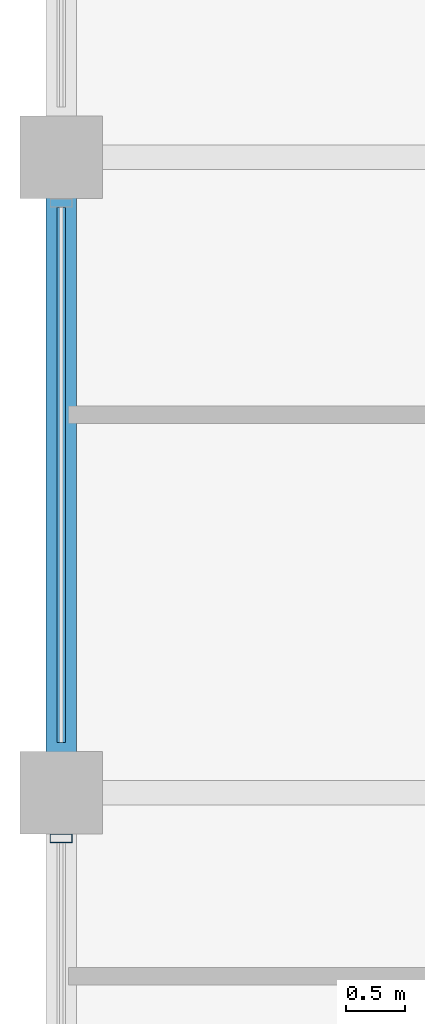
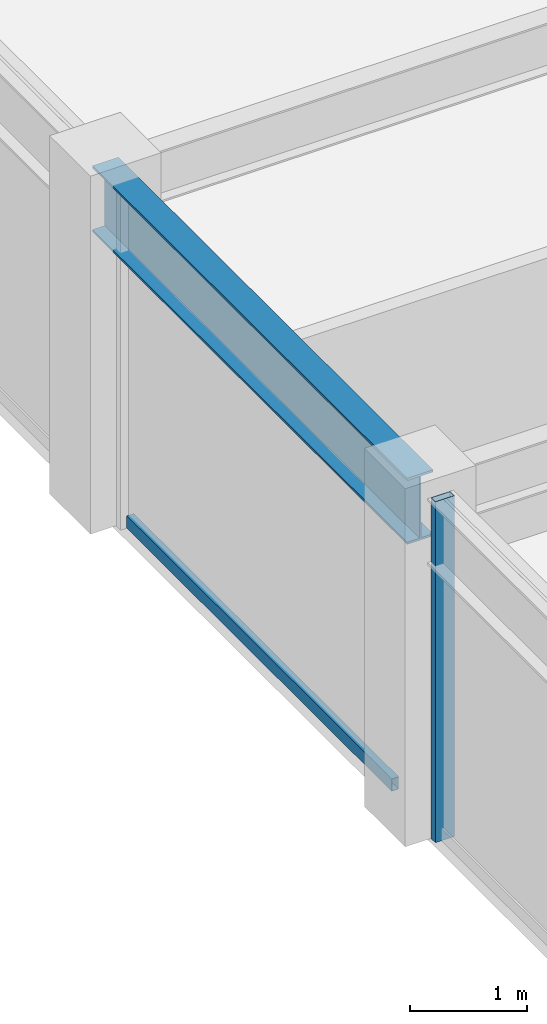
# One storey, part 10 of 31: 2 members, 1 beam, 1 element without a shape of its own.
"""IFC4 building model written with IfcOpenShell, lengths in metres."""

from ifc_helpers import new_model, si_unit, direction, frame, origin, origin_2d, place, context, subcontext, project, spatial, hollow_rectangle, i_section, extrude, material, layer, layer_set, material_profile, profile_set, type_object, element, aggregate, save


model = new_model("IFC4")

# Units and contexts
model_context = context("Model", 3, precision=1e-05, world=origin(), true_north=direction((0.0, 1.0)))
body_context = subcontext(model_context, "Body", "Model", "MODEL_VIEW")
ifc_project = project(units=[si_unit("LENGTHUNIT", "METRE"), si_unit("AREAUNIT", "SQUARE_METRE"), si_unit("VOLUMEUNIT", "CUBIC_METRE"), si_unit("PLANEANGLEUNIT", "RADIAN"), si_unit("MASSUNIT", "GRAM", prefix="KILO")], contexts=[model_context])

# Site, building, storey
site_placement = place(None, origin())
site = spatial("IfcSite", under=ifc_project, at=site_placement, CompositionType="ELEMENT")
building_placement = place(site_placement, origin())
building = spatial("IfcBuilding", under=site, at=building_placement, Name="Surkhivell Harbour Commons", CompositionType="ELEMENT")
storey_placement = place(building_placement, frame((0.0, 0.0, 330.0)))
storey = spatial("IfcBuildingStorey", under=building, at=storey_placement, Name="L86", CompositionType="ELEMENT", Elevation=330.0)

# Beam
ifc_material_1 = material(Name="Steel S355", Category="steel")
ifc_material_profile_1 = material_profile(ifc_material_1, i_section(OverallWidth=0.256103515625, OverallDepth=0.693115234375, WebThickness=0.014404296875, FlangeThickness=0.023681640625, at=origin_2d()), Name="UB686x254x170")
ifc_profile_set_1 = profile_set([ifc_material_profile_1], Name="Steel S355")
beam_type = type_object("IfcBeamType", Name="BM-SPN-686", PredefinedType="SPANDREL", material=ifc_profile_set_1)
beam_placement = place(storey_placement, frame((-27.0, 5.39990234375, 3.223388671875), z_axis=(0.0, 1.0, 0.0), x_axis=(-1.0, 0.0, 0.0)))
element("IfcBeam", 1, at=beam_placement, inside=storey, type_object=beam_type, Name="L86 Tube Spandrel (-27.0,5.4)", PredefinedType="SPANDREL", context=body_context, shape_type="SweptSolid", body=[
    extrude(i_section(OverallWidth=0.256103515625, OverallDepth=0.693115234375, WebThickness=0.014404296875, FlangeThickness=0.023681640625, at=origin_2d()), origin(), (0.0, 0.0, 1.0), 5.400146484375),
])

# Curtain wall, members
ifc_material_2 = material(Name="Anodised pale-metal aluminium and insulated glazing", Category="aluminium")
ifc_layer = layer(ifc_material_2, 0.175048828125)
ifc_layer_set = layer_set([ifc_layer], Name="Anodised pale-metal aluminium and insulated glazing")
curtain_wall_type = type_object("IfcCurtainWallType", Name="CW-SYS-Z4", PredefinedType="NOTDEFINED", material=ifc_layer_set)
curtain_wall_placement = place(storey_placement, origin())
curtain_wall = element("IfcCurtainWall", 2, at=curtain_wall_placement, inside=storey, type_object=curtain_wall_type, Name="L86 Curtain Wall CW-L86-E12S1", PredefinedType="NOTDEFINED")
ifc_material_3 = material(Name="Anodised pale-metal aluminium alloy 6063-T6", Category="aluminium")
ifc_material_profile_2 = material_profile(ifc_material_3, hollow_rectangle(XDim=0.074951171875, YDim=0.18994140625, WallThickness=0.00390625, at=origin_2d()), Name="ALU-MULL-75x190")
ifc_profile_set_2 = profile_set([ifc_material_profile_2], Name="Anodised pale-metal aluminium alloy 6063-T6")
member_type_1 = type_object("IfcMemberType", Name="CWM-190", PredefinedType="MULLION", material=ifc_profile_set_2)
member_1_placement = place(storey_placement, frame((-27.0, 5.010498046875, 0.0), z_axis=(0.0, 0.0, 1.0), x_axis=(0.0, -1.0, 0.0)))
member_1 = element("IfcMember", 3, at=member_1_placement, type_object=member_type_1, Name="CW-Z4 mullion 4", PredefinedType="MULLION", context=body_context, shape_type="SweptSolid", body=[
    extrude(hollow_rectangle(XDim=0.074951171875, YDim=0.18994140625, WallThickness=0.00390625, at=origin_2d()), origin(), (0.0, 0.0, 1.0), 3.570068359375),
])
ifc_material_4 = material(Name="Champagne anodised aluminium alloy 6063-T6", Category="aluminium")
ifc_material_profile_3 = material_profile(ifc_material_4, hollow_rectangle(XDim=0.070068359375, YDim=0.1298828125, WallThickness=0.00341796875, at=origin_2d()), Name="ALU-TRAN-70x130")
ifc_profile_set_3 = profile_set([ifc_material_profile_3], Name="Champagne anodised aluminium alloy 6063-T6")
member_type_2 = type_object("IfcMemberType", Name="CWT-130", PredefinedType="USERDEFINED", material=ifc_profile_set_3)
member_2_placement = place(storey_placement, frame((-27.0, 10.373046875, 0.06494140625), z_axis=(0.0, -1.0, 0.0), x_axis=(1.0, 0.0, 0.0)))
member_2 = element("IfcMember", 4, at=member_2_placement, type_object=member_type_2, Name="CW-Z4 transom 3.1", ObjectType="TRANSOM", PredefinedType="USERDEFINED", context=body_context, shape_type="SweptSolid", body=[
    extrude(hollow_rectangle(XDim=0.070068359375, YDim=0.1298828125, WallThickness=0.00341796875, at=origin_2d()), origin(), (0.0, 0.0, 1.0), 4.546142578125),
])
aggregate(curtain_wall, [member_2, member_1])

save(model, "model.ifc")
